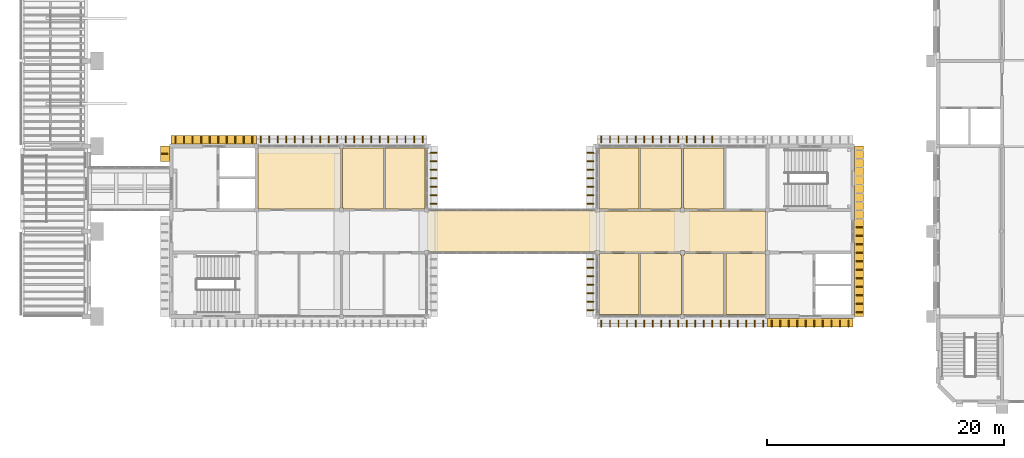
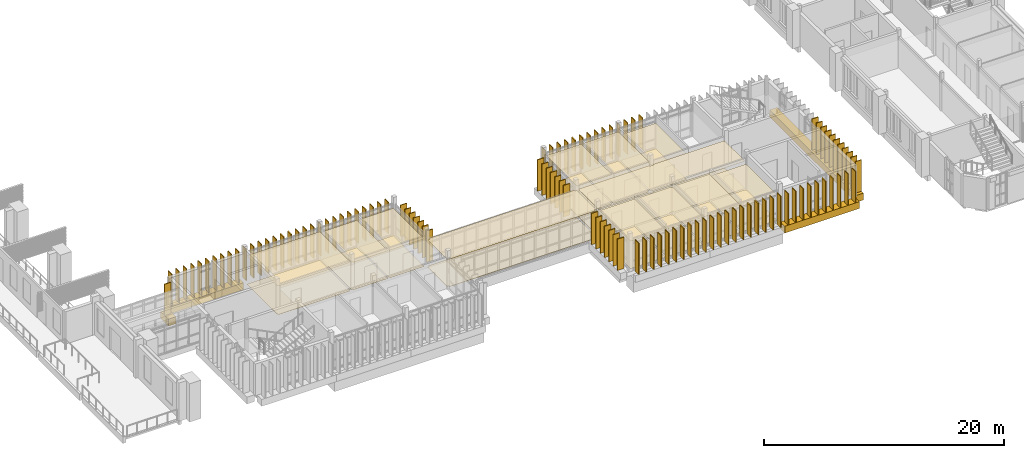
# One storey, part 63 of 69: 135 coverings.
"""IFC4 building model written with IfcOpenShell, lengths in metres."""

from ifc_helpers import new_model, si_unit, direction, frame, origin, origin_2d, place, context, subcontext, project, spatial, polyline, rectangle, outline, extrude, material, layer, layer_set, type_object, element, save


model = new_model("IFC4")

# Units and contexts
model_context = context("Model", 3, precision=1e-05, world=origin(), true_north=direction((0.0, 1.0)))
body_context = subcontext(model_context, "Body", "Model", "MODEL_VIEW")
ifc_project = project(units=[si_unit("LENGTHUNIT", "METRE"), si_unit("AREAUNIT", "SQUARE_METRE"), si_unit("VOLUMEUNIT", "CUBIC_METRE"), si_unit("PLANEANGLEUNIT", "RADIAN"), si_unit("MASSUNIT", "GRAM", prefix="KILO")], contexts=[model_context])

# Site, building, storey
site_placement = place(None, origin())
site = spatial("IfcSite", under=ifc_project, at=site_placement, CompositionType="ELEMENT")
building_placement = place(site_placement, origin())
building = spatial("IfcBuilding", under=site, at=building_placement, Name="Mazhai Court Health Centre", CompositionType="ELEMENT")
storey_placement = place(building_placement, frame((0.0, 0.0, 6.300048828125)))
storey = spatial("IfcBuildingStorey", under=building, at=storey_placement, Name="L01", CompositionType="ELEMENT", Elevation=6.300048828125)

# Coverings
ifc_material_1 = material(Name="Gypsum plasterboard ceiling")
ifc_layer_1 = layer(ifc_material_1, 0.02001953125)
ifc_layer_set_1 = layer_set([ifc_layer_1], Name="CEILING GYPSUM BOARD 20")
covering_type_1 = type_object("IfcCoveringType", Name="CEILING GYPSUM BOARD 20", PredefinedType="CEILING", material=ifc_layer_set_1)
covering_1_placement = place(storey_placement, frame((0.0, 0.0, 2.800048828125)))
element("IfcCovering", 1, at=covering_1_placement, inside=storey, type_object=covering_type_1, Name="ceil-V4-L01-A1-gp-consulting-room-5", PredefinedType="CEILING", context=body_context, shape_type="SweptSolid", body=[
    extrude(outline(polyline([(107.179931640625, 18.72509765625), (107.179931640625, 18.6201171875), (107.1650390625, 18.6201171875), (107.1650390625, 13.580078125), (107.179931640625, 13.580078125), (107.179931640625, 13.56494140625), (110.53759765625, 13.56494140625), (110.53759765625, 18.72509765625), (107.179931640625, 18.72509765625)])), origin(), (0.0, 0.0, 1.0), 0.02001953125),
])
covering_2_placement = place(storey_placement, frame((0.0, 0.0, 2.800048828125)))
element("IfcCovering", 2, at=covering_2_placement, inside=storey, type_object=covering_type_1, Name="ceil-V4-L01-A1-gp-consulting-room-6", PredefinedType="CEILING", context=body_context, shape_type="SweptSolid", body=[
    extrude(outline(polyline([(114.137451171875, 18.6201171875), (114.02001953125, 18.6201171875), (114.02001953125, 18.72509765625), (110.66259765625, 18.72509765625), (110.66259765625, 13.56494140625), (114.02001953125, 13.56494140625), (114.02001953125, 13.580078125), (114.137451171875, 13.580078125), (114.137451171875, 18.6201171875)])), origin(), (0.0, 0.0, 1.0), 0.02001953125),
])
covering_3_placement = place(storey_placement, frame((0.0, 0.0, 2.800048828125)))
element("IfcCovering", 3, at=covering_3_placement, inside=storey, type_object=covering_type_1, Name="ceil-V4-L01-A1-treatment-room-1", PredefinedType="CEILING", context=body_context, shape_type="SweptSolid", body=[
    extrude(outline(polyline([(114.3798828125, 18.72509765625), (114.3798828125, 18.6201171875), (114.262451171875, 18.6201171875), (114.262451171875, 13.580078125), (114.3798828125, 13.580078125), (114.3798828125, 13.56494140625), (117.72509765625, 13.56494140625), (117.72509765625, 18.72509765625), (114.3798828125, 18.72509765625)])), origin(), (0.0, 0.0, 1.0), 0.02001953125),
])
covering_4_placement = place(storey_placement, frame((0.0, 0.0, 2.89990234375)))
element("IfcCovering", 4, at=covering_4_placement, inside=storey, type_object=covering_type_1, Name="ceil-V4-L01-B0-nurse-base-and-triage", PredefinedType="CEILING", context=body_context, shape_type="SweptSolid", body=[
    extrude(outline(polyline([(85.33740234375, 27.6201171875), (85.219970703125, 27.6201171875), (85.219970703125, 27.635009765625), (78.3798828125, 27.635009765625), (78.3798828125, 27.6201171875), (78.324951171875, 27.6201171875), (78.324951171875, 22.580078125), (78.3798828125, 22.580078125), (78.3798828125, 22.47509765625), (85.219970703125, 22.47509765625), (85.219970703125, 22.580078125), (85.33740234375, 22.580078125), (85.33740234375, 27.6201171875)])), origin(), (0.0, 0.0, 1.0), 0.02001953125),
])
covering_5_placement = place(storey_placement, frame((0.0, 0.0, 2.800048828125)))
element("IfcCovering", 5, at=covering_5_placement, inside=storey, type_object=covering_type_1, Name="ceil-V4-L01-B0-treatment-room-2", PredefinedType="CEILING", context=body_context, shape_type="SweptSolid", body=[
    extrude(outline(polyline([(85.580078125, 27.635009765625), (85.580078125, 27.6201171875), (85.46240234375, 27.6201171875), (85.46240234375, 22.580078125), (85.580078125, 22.580078125), (85.580078125, 22.47509765625), (88.9375, 22.47509765625), (88.9375, 27.635009765625), (85.580078125, 27.635009765625)])), origin(), (0.0, 0.0, 1.0), 0.02001953125),
])
covering_6_placement = place(storey_placement, frame((0.0, 0.0, 2.800048828125)))
element("IfcCovering", 6, at=covering_6_placement, inside=storey, type_object=covering_type_1, Name="ceil-V4-L01-B0-wound-care-room", PredefinedType="CEILING", context=body_context, shape_type="SweptSolid", body=[
    extrude(outline(polyline([(92.43505859375, 27.6201171875), (92.419921875, 27.6201171875), (92.419921875, 27.635009765625), (89.0625, 27.635009765625), (89.0625, 22.47509765625), (92.419921875, 22.47509765625), (92.419921875, 22.580078125), (92.43505859375, 22.580078125), (92.43505859375, 27.6201171875)])), origin(), (0.0, 0.0, 1.0), 0.02001953125),
])
ifc_material_2 = material(Name="Mineral fibre ceiling tile")
ifc_layer_2 = layer(ifc_material_2, 0.014892578125)
ifc_layer_set_2 = layer_set([ifc_layer_2], Name="CEILING MINERAL FIBRE TILE 15")
covering_type_2 = type_object("IfcCoveringType", Name="CEILING MINERAL FIBRE TILE 15", PredefinedType="CEILING", material=ifc_layer_set_2)
covering_7_placement = place(storey_placement, frame((0.0, 0.0, 3.0)))
element("IfcCovering", 7, at=covering_7_placement, inside=storey, type_object=covering_type_2, Name="ceil-V4-L01-B1-waiting-alcove-1", PredefinedType="CEILING", context=body_context, shape_type="SweptSolid", body=[
    extrude(outline(polyline([(107.179931640625, 27.635009765625), (107.179931640625, 27.6201171875), (107.1650390625, 27.6201171875), (107.1650390625, 22.580078125), (107.179931640625, 22.580078125), (107.179931640625, 22.47509765625), (110.53759765625, 22.47509765625), (110.53759765625, 27.635009765625), (107.179931640625, 27.635009765625)])), origin(), (0.0, 0.0, 1.0), 0.014892578125),
])
covering_8_placement = place(storey_placement, frame((0.0, 0.0, 3.0)))
element("IfcCovering", 8, at=covering_8_placement, inside=storey, type_object=covering_type_2, Name="ceil-V4-L01-B1-waiting-alcove-2", PredefinedType="CEILING", context=body_context, shape_type="SweptSolid", body=[
    extrude(outline(polyline([(114.125, 27.6201171875), (114.02001953125, 27.6201171875), (114.02001953125, 27.635009765625), (110.66259765625, 27.635009765625), (110.66259765625, 22.47509765625), (114.02001953125, 22.47509765625), (114.02001953125, 22.580078125), (114.125, 22.580078125), (114.125, 27.6201171875)])), origin(), (0.0, 0.0, 1.0), 0.014892578125),
])
covering_9_placement = place(storey_placement, frame((0.0, 0.0, 2.800048828125)))
element("IfcCovering", 9, at=covering_9_placement, inside=storey, type_object=covering_type_2, Name="ceil-V4-L01-corridor-1", PredefinedType="CEILING", context=body_context, shape_type="SweptSolid", body=[
    extrude(outline(polyline([(121.27490234375, 22.219970703125), (121.219970703125, 22.219970703125), (121.219970703125, 22.324951171875), (114.3798828125, 22.324951171875), (114.3798828125, 22.219970703125), (114.02001953125, 22.219970703125), (114.02001953125, 22.324951171875), (107.179931640625, 22.324951171875), (107.179931640625, 22.219970703125), (107.1650390625, 22.219970703125), (107.1650390625, 18.97998046875), (107.179931640625, 18.97998046875), (107.179931640625, 18.875), (114.02001953125, 18.875), (114.02001953125, 18.97998046875), (114.3798828125, 18.97998046875), (114.3798828125, 18.875), (121.219970703125, 18.875), (121.219970703125, 18.97998046875), (121.27490234375, 18.97998046875), (121.27490234375, 22.219970703125)])), origin(), (0.0, 0.0, 1.0), 0.014892578125),
])
covering_10_placement = place(storey_placement, frame((0.0, 0.0, 2.800048828125)))
element("IfcCovering", 10, at=covering_10_placement, inside=storey, type_object=covering_type_2, Name="ceil-BR-LC1", PredefinedType="CEILING", context=body_context, shape_type="SweptSolid", body=[
    extrude(outline(polyline([(107.0, 18.97998046875), (106.820068359375, 18.97998046875), (106.820068359375, 18.85009765625), (92.780029296875, 18.85009765625), (92.780029296875, 18.97998046875), (92.60009765625, 18.97998046875), (92.60009765625, 22.219970703125), (92.780029296875, 22.219970703125), (92.780029296875, 22.35009765625), (106.820068359375, 22.35009765625), (106.820068359375, 22.219970703125), (107.0, 22.219970703125), (107.0, 18.97998046875)])), origin(), (0.0, 0.0, 1.0), 0.014892578125),
])
ifc_material_3 = material(Name="Moisture resistant gypsum ceiling")
ifc_layer_3 = layer(ifc_material_3, 0.014892578125)
ifc_layer_set_3 = layer_set([ifc_layer_3], Name="CEILING MOISTURE RESISTANT BOARD 15")
covering_type_3 = type_object("IfcCoveringType", Name="CEILING MOISTURE RESISTANT BOARD 15", PredefinedType="CEILING", material=ifc_layer_set_3)
covering_11_placement = place(storey_placement, frame((0.0, 0.0, 2.599853515625)))
element("IfcCovering", 11, at=covering_11_placement, inside=storey, type_object=covering_type_3, Name="ceil-V4-L01-A1-accessible-wc", PredefinedType="CEILING", context=body_context, shape_type="SweptSolid", body=[
    extrude(outline(polyline([(121.27490234375, 18.6201171875), (121.219970703125, 18.6201171875), (121.219970703125, 18.72509765625), (117.875, 18.72509765625), (117.875, 13.56494140625), (121.219970703125, 13.56494140625), (121.219970703125, 13.580078125), (121.27490234375, 13.580078125), (121.27490234375, 18.6201171875)])), origin(), (0.0, 0.0, 1.0), 0.01513671875),
])
covering_12_placement = place(storey_placement, frame((0.0, 0.0, 2.599853515625)))
element("IfcCovering", 12, at=covering_12_placement, inside=storey, type_object=covering_type_3, Name="ceil-V4-L01-B1-wc-male", PredefinedType="CEILING", context=body_context, shape_type="SweptSolid", body=[
    extrude(outline(polyline([(114.3798828125, 27.635009765625), (114.3798828125, 27.6201171875), (114.27490234375, 27.6201171875), (114.27490234375, 22.580078125), (114.3798828125, 22.580078125), (114.3798828125, 22.47509765625), (117.72509765625, 22.47509765625), (117.72509765625, 27.635009765625), (114.3798828125, 27.635009765625)])), origin(), (0.0, 0.0, 1.0), 0.01513671875),
])
ifc_material_4 = material(Name="Glulam GL24h", Category="wood")
covering_type_4 = type_object("IfcCoveringType", Name="FIN RAIL CLADDING 735x700", PredefinedType="CLADDING", material=ifc_material_4)
for number, where, z_axis, x_axis, name in (
    (13, (125.0, 12.866943359375, -0.7001953125), (0.0, 0.0, 1.0), (1.0, 0.0, 0.0), "FR-V4-A5-L01"),
    (14, (74.60009765625, 28.33203125, -0.7001953125), (0.0, 0.0, 1.0), (1.0, 0.0, 0.0), "FR-V4-B0-L01"),
):
    element("IfcCovering", number, at=place(storey_placement, frame(where, z_axis=z_axis, x_axis=x_axis)), inside=storey, type_object=covering_type_4, Name=name, PredefinedType="CLADDING", context=body_context, shape_type="SweptSolid", body=[
        extrude(rectangle(XDim=7.199951171875, YDim=0.735107421875, at=origin_2d()), origin(), (0.0, 0.0, 1.0), 0.699951171875),
    ])
covering_13_placement = place(storey_placement, frame((70.468017578125, 27.14990234375, -0.7001953125), z_axis=(0.0, 0.0, 1.0), x_axis=(1.0, 0.0, 0.0)))
element("IfcCovering", 15, at=covering_13_placement, inside=storey, type_object=covering_type_4, Name="FR-V4-S1-L01", PredefinedType="CLADDING", context=body_context, shape_type="SweptSolid", body=[
    extrude(rectangle(XDim=0.735107421875, YDim=1.300048828125, at=origin_2d()), origin(), (0.0, 0.0, 1.0), 0.699951171875),
])
covering_14_placement = place(storey_placement, frame((129.132080078125, 20.60009765625, -0.7001953125), z_axis=(0.0, 0.0, 1.0), x_axis=(1.0, 0.0, 0.0)))
element("IfcCovering", 16, at=covering_14_placement, inside=storey, type_object=covering_type_4, Name="FR-V4-E-L01", PredefinedType="CLADDING", context=body_context, shape_type="SweptSolid", body=[
    extrude(rectangle(XDim=0.735107421875, YDim=14.39990234375, at=origin_2d()), origin(), (0.0, 0.0, 1.0), 0.699951171875),
])
ifc_material_5 = material(Name="Teak timber", Category="wood")
covering_type_5 = type_object("IfcCoveringType", Name="FIN TIMBER 80x600", PredefinedType="CLADDING", material=ifc_material_5)
for number, where, z_axis, x_axis, name in (
    (17, (107.360107421875, 12.800048828125, 0.0), (0.0, 0.0, 1.0), (1.0, 0.0, 0.0), "FN-V4-A3-L01-00"),
    (18, (108.080078125, 12.800048828125, 0.0), (0.0, 0.0, 1.0), (1.0, 0.0, 0.0), "FN-V4-A3-L01-01"),
    (19, (108.800048828125, 12.800048828125, 0.0), (0.0, 0.0, 1.0), (1.0, 0.0, 0.0), "FN-V4-A3-L01-02"),
    (20, (109.52001953125, 12.800048828125, 0.0), (0.0, 0.0, 1.0), (1.0, 0.0, 0.0), "FN-V4-A3-L01-03"),
    (21, (110.239990234375, 12.800048828125, 0.0), (0.0, 0.0, 1.0), (1.0, 0.0, 0.0), "FN-V4-A3-L01-04"),
    (22, (110.9599609375, 12.800048828125, 0.0), (0.0, 0.0, 1.0), (1.0, 0.0, 0.0), "FN-V4-A3-L01-05"),
    (23, (111.679931640625, 12.800048828125, 0.0), (0.0, 0.0, 1.0), (1.0, 0.0, 0.0), "FN-V4-A3-L01-06"),
    (24, (112.39990234375, 12.800048828125, 0.0), (0.0, 0.0, 1.0), (1.0, 0.0, 0.0), "FN-V4-A3-L01-07"),
    (25, (113.1201171875, 12.800048828125, 0.0), (0.0, 0.0, 1.0), (1.0, 0.0, 0.0), "FN-V4-A3-L01-08"),
    (26, (113.840087890625, 12.800048828125, 0.0), (0.0, 0.0, 1.0), (1.0, 0.0, 0.0), "FN-V4-A3-L01-09"),
    (27, (114.56005859375, 12.800048828125, 0.0), (0.0, 0.0, 1.0), (1.0, 0.0, 0.0), "FN-V4-A4-L01-00"),
    (28, (115.280029296875, 12.800048828125, 0.0), (0.0, 0.0, 1.0), (1.0, 0.0, 0.0), "FN-V4-A4-L01-01"),
    (29, (116.0, 12.800048828125, 0.0), (0.0, 0.0, 1.0), (1.0, 0.0, 0.0), "FN-V4-A4-L01-02"),
    (30, (116.719970703125, 12.800048828125, 0.0), (0.0, 0.0, 1.0), (1.0, 0.0, 0.0), "FN-V4-A4-L01-03"),
    (31, (117.43994140625, 12.800048828125, 0.0), (0.0, 0.0, 1.0), (1.0, 0.0, 0.0), "FN-V4-A4-L01-04"),
    (32, (118.159912109375, 12.800048828125, 0.0), (0.0, 0.0, 1.0), (1.0, 0.0, 0.0), "FN-V4-A4-L01-05"),
    (33, (118.8798828125, 12.800048828125, 0.0), (0.0, 0.0, 1.0), (1.0, 0.0, 0.0), "FN-V4-A4-L01-06"),
    (34, (119.60009765625, 12.800048828125, 0.0), (0.0, 0.0, 1.0), (1.0, 0.0, 0.0), "FN-V4-A4-L01-07"),
    (35, (120.320068359375, 12.800048828125, 0.0), (0.0, 0.0, 1.0), (1.0, 0.0, 0.0), "FN-V4-A4-L01-08"),
    (36, (121.0400390625, 12.800048828125, 0.0), (0.0, 0.0, 1.0), (1.0, 0.0, 0.0), "FN-V4-A4-L01-09"),
    (37, (121.760009765625, 12.800048828125, 0.0), (0.0, 0.0, 1.0), (1.0, 0.0, 0.0), "FN-V4-A5-L01-00"),
    (38, (122.47998046875, 12.800048828125, 0.0), (0.0, 0.0, 1.0), (1.0, 0.0, 0.0), "FN-V4-A5-L01-01"),
    (39, (123.199951171875, 12.800048828125, 0.0), (0.0, 0.0, 1.0), (1.0, 0.0, 0.0), "FN-V4-A5-L01-02"),
    (40, (123.919921875, 12.800048828125, 0.0), (0.0, 0.0, 1.0), (1.0, 0.0, 0.0), "FN-V4-A5-L01-03"),
    (41, (124.639892578125, 12.800048828125, 0.0), (0.0, 0.0, 1.0), (1.0, 0.0, 0.0), "FN-V4-A5-L01-04"),
    (42, (125.360107421875, 12.800048828125, 0.0), (0.0, 0.0, 1.0), (1.0, 0.0, 0.0), "FN-V4-A5-L01-05"),
    (43, (126.080078125, 12.800048828125, 0.0), (0.0, 0.0, 1.0), (1.0, 0.0, 0.0), "FN-V4-A5-L01-06"),
    (44, (126.800048828125, 12.800048828125, 0.0), (0.0, 0.0, 1.0), (1.0, 0.0, 0.0), "FN-V4-A5-L01-07"),
    (45, (127.52001953125, 12.800048828125, 0.0), (0.0, 0.0, 1.0), (1.0, 0.0, 0.0), "FN-V4-A5-L01-08"),
    (46, (128.239990234375, 12.800048828125, 0.0), (0.0, 0.0, 1.0), (1.0, 0.0, 0.0), "FN-V4-A5-L01-09"),
    (47, (71.360107421875, 28.39990234375, 0.0), (0.0, 0.0, 1.0), (1.0, 0.0, 0.0), "FN-V4-B0-L01-00"),
    (48, (72.080078125, 28.39990234375, 0.0), (0.0, 0.0, 1.0), (1.0, 0.0, 0.0), "FN-V4-B0-L01-01"),
    (49, (72.800048828125, 28.39990234375, 0.0), (0.0, 0.0, 1.0), (1.0, 0.0, 0.0), "FN-V4-B0-L01-02"),
    (50, (73.52001953125, 28.39990234375, 0.0), (0.0, 0.0, 1.0), (1.0, 0.0, 0.0), "FN-V4-B0-L01-03"),
    (51, (74.239990234375, 28.39990234375, 0.0), (0.0, 0.0, 1.0), (1.0, 0.0, 0.0), "FN-V4-B0-L01-04"),
    (52, (74.9599609375, 28.39990234375, 0.0), (0.0, 0.0, 1.0), (1.0, 0.0, 0.0), "FN-V4-B0-L01-05"),
    (53, (75.679931640625, 28.39990234375, 0.0), (0.0, 0.0, 1.0), (1.0, 0.0, 0.0), "FN-V4-B0-L01-06"),
    (54, (76.39990234375, 28.39990234375, 0.0), (0.0, 0.0, 1.0), (1.0, 0.0, 0.0), "FN-V4-B0-L01-07"),
    (55, (77.1201171875, 28.39990234375, 0.0), (0.0, 0.0, 1.0), (1.0, 0.0, 0.0), "FN-V4-B0-L01-08"),
    (56, (77.840087890625, 28.39990234375, 0.0), (0.0, 0.0, 1.0), (1.0, 0.0, 0.0), "FN-V4-B0-L01-09"),
    (57, (78.56005859375, 28.39990234375, 0.0), (0.0, 0.0, 1.0), (1.0, 0.0, 0.0), "FN-V4-B1-L01-00"),
    (58, (79.280029296875, 28.39990234375, 0.0), (0.0, 0.0, 1.0), (1.0, 0.0, 0.0), "FN-V4-B1-L01-01"),
    (59, (80.0, 28.39990234375, 0.0), (0.0, 0.0, 1.0), (1.0, 0.0, 0.0), "FN-V4-B1-L01-02"),
    (60, (80.719970703125, 28.39990234375, 0.0), (0.0, 0.0, 1.0), (1.0, 0.0, 0.0), "FN-V4-B1-L01-03"),
    (61, (81.43994140625, 28.39990234375, 0.0), (0.0, 0.0, 1.0), (1.0, 0.0, 0.0), "FN-V4-B1-L01-04"),
    (62, (82.159912109375, 28.39990234375, 0.0), (0.0, 0.0, 1.0), (1.0, 0.0, 0.0), "FN-V4-B1-L01-05"),
    (63, (82.8798828125, 28.39990234375, 0.0), (0.0, 0.0, 1.0), (1.0, 0.0, 0.0), "FN-V4-B1-L01-06"),
    (64, (83.60009765625, 28.39990234375, 0.0), (0.0, 0.0, 1.0), (1.0, 0.0, 0.0), "FN-V4-B1-L01-07"),
    (65, (84.320068359375, 28.39990234375, 0.0), (0.0, 0.0, 1.0), (1.0, 0.0, 0.0), "FN-V4-B1-L01-08"),
    (66, (85.0400390625, 28.39990234375, 0.0), (0.0, 0.0, 1.0), (1.0, 0.0, 0.0), "FN-V4-B1-L01-09"),
    (67, (85.760009765625, 28.39990234375, 0.0), (0.0, 0.0, 1.0), (1.0, 0.0, 0.0), "FN-V4-B2-L01-00"),
    (68, (86.47998046875, 28.39990234375, 0.0), (0.0, 0.0, 1.0), (1.0, 0.0, 0.0), "FN-V4-B2-L01-01"),
    (69, (87.199951171875, 28.39990234375, 0.0), (0.0, 0.0, 1.0), (1.0, 0.0, 0.0), "FN-V4-B2-L01-02"),
    (70, (87.919921875, 28.39990234375, 0.0), (0.0, 0.0, 1.0), (1.0, 0.0, 0.0), "FN-V4-B2-L01-03"),
    (71, (88.639892578125, 28.39990234375, 0.0), (0.0, 0.0, 1.0), (1.0, 0.0, 0.0), "FN-V4-B2-L01-04"),
    (72, (89.360107421875, 28.39990234375, 0.0), (0.0, 0.0, 1.0), (1.0, 0.0, 0.0), "FN-V4-B2-L01-05"),
    (73, (90.080078125, 28.39990234375, 0.0), (0.0, 0.0, 1.0), (1.0, 0.0, 0.0), "FN-V4-B2-L01-06"),
    (74, (90.800048828125, 28.39990234375, 0.0), (0.0, 0.0, 1.0), (1.0, 0.0, 0.0), "FN-V4-B2-L01-07"),
    (75, (91.52001953125, 28.39990234375, 0.0), (0.0, 0.0, 1.0), (1.0, 0.0, 0.0), "FN-V4-B2-L01-08"),
    (76, (92.239990234375, 28.39990234375, 0.0), (0.0, 0.0, 1.0), (1.0, 0.0, 0.0), "FN-V4-B2-L01-09"),
    (77, (107.360107421875, 28.39990234375, 0.0), (0.0, 0.0, 1.0), (1.0, 0.0, 0.0), "FN-V4-B3-L01-00"),
    (78, (108.080078125, 28.39990234375, 0.0), (0.0, 0.0, 1.0), (1.0, 0.0, 0.0), "FN-V4-B3-L01-01"),
    (79, (108.800048828125, 28.39990234375, 0.0), (0.0, 0.0, 1.0), (1.0, 0.0, 0.0), "FN-V4-B3-L01-02"),
    (80, (109.52001953125, 28.39990234375, 0.0), (0.0, 0.0, 1.0), (1.0, 0.0, 0.0), "FN-V4-B3-L01-03"),
    (81, (110.239990234375, 28.39990234375, 0.0), (0.0, 0.0, 1.0), (1.0, 0.0, 0.0), "FN-V4-B3-L01-04"),
    (82, (110.9599609375, 28.39990234375, 0.0), (0.0, 0.0, 1.0), (1.0, 0.0, 0.0), "FN-V4-B3-L01-05"),
    (83, (111.679931640625, 28.39990234375, 0.0), (0.0, 0.0, 1.0), (1.0, 0.0, 0.0), "FN-V4-B3-L01-06"),
    (84, (112.39990234375, 28.39990234375, 0.0), (0.0, 0.0, 1.0), (1.0, 0.0, 0.0), "FN-V4-B3-L01-07"),
    (85, (113.1201171875, 28.39990234375, 0.0), (0.0, 0.0, 1.0), (1.0, 0.0, 0.0), "FN-V4-B3-L01-08"),
    (86, (113.840087890625, 28.39990234375, 0.0), (0.0, 0.0, 1.0), (1.0, 0.0, 0.0), "FN-V4-B3-L01-09"),
    (87, (114.56005859375, 28.39990234375, 0.0), (0.0, 0.0, 1.0), (1.0, 0.0, 0.0), "FN-V4-B4-L01-00"),
    (88, (115.280029296875, 28.39990234375, 0.0), (0.0, 0.0, 1.0), (1.0, 0.0, 0.0), "FN-V4-B4-L01-01"),
    (89, (116.0, 28.39990234375, 0.0), (0.0, 0.0, 1.0), (1.0, 0.0, 0.0), "FN-V4-B4-L01-02"),
    (90, (116.719970703125, 28.39990234375, 0.0), (0.0, 0.0, 1.0), (1.0, 0.0, 0.0), "FN-V4-B4-L01-03"),
    (91, (70.39990234375, 27.14990234375, 0.0), (0.0, 0.0, 1.0), (0.0, 1.0, 0.0), "FN-V4-S1-L01-00"),
    (92, (129.199951171875, 13.760009765625, 0.0), (0.0, 0.0, 1.0), (0.0, 1.0, 0.0), "FN-V4-E-L01-00"),
    (93, (129.199951171875, 14.47998046875, 0.0), (0.0, 0.0, 1.0), (0.0, 1.0, 0.0), "FN-V4-E-L01-01"),
    (94, (129.199951171875, 15.199951171875, 0.0), (0.0, 0.0, 1.0), (0.0, 1.0, 0.0), "FN-V4-E-L01-02"),
    (95, (129.199951171875, 15.919921875, 0.0), (0.0, 0.0, 1.0), (0.0, 1.0, 0.0), "FN-V4-E-L01-03"),
    (96, (129.199951171875, 16.639892578125, 0.0), (0.0, 0.0, 1.0), (0.0, 1.0, 0.0), "FN-V4-E-L01-04"),
    (97, (129.199951171875, 17.360107421875, 0.0), (0.0, 0.0, 1.0), (0.0, 1.0, 0.0), "FN-V4-E-L01-05"),
    (98, (129.199951171875, 18.080078125, 0.0), (0.0, 0.0, 1.0), (0.0, 1.0, 0.0), "FN-V4-E-L01-06"),
    (99, (129.199951171875, 18.800048828125, 0.0), (0.0, 0.0, 1.0), (0.0, 1.0, 0.0), "FN-V4-E-L01-07"),
    (100, (129.199951171875, 19.52001953125, 0.0), (0.0, 0.0, 1.0), (0.0, 1.0, 0.0), "FN-V4-E-L01-08"),
    (101, (129.199951171875, 20.239990234375, 0.0), (0.0, 0.0, 1.0), (0.0, 1.0, 0.0), "FN-V4-E-L01-09"),
    (102, (129.199951171875, 20.9599609375, 0.0), (0.0, 0.0, 1.0), (0.0, 1.0, 0.0), "FN-V4-E-L01-10"),
    (103, (93.199951171875, 22.93994140625, 0.0), (0.0, 0.0, 1.0), (0.0, 1.0, 0.0), "FN-V4-CE2-1-L01-00"),
    (104, (93.199951171875, 23.659912109375, 0.0), (0.0, 0.0, 1.0), (0.0, 1.0, 0.0), "FN-V4-CE2-1-L01-01"),
    (105, (93.199951171875, 24.3798828125, 0.0), (0.0, 0.0, 1.0), (0.0, 1.0, 0.0), "FN-V4-CE2-1-L01-02"),
    (106, (93.199951171875, 25.10009765625, 0.0), (0.0, 0.0, 1.0), (0.0, 1.0, 0.0), "FN-V4-CE2-1-L01-03"),
    (107, (93.199951171875, 25.820068359375, 0.0), (0.0, 0.0, 1.0), (0.0, 1.0, 0.0), "FN-V4-CE2-1-L01-04"),
    (108, (93.199951171875, 26.5400390625, 0.0), (0.0, 0.0, 1.0), (0.0, 1.0, 0.0), "FN-V4-CE2-1-L01-05"),
    (109, (93.199951171875, 27.260009765625, 0.0), (0.0, 0.0, 1.0), (0.0, 1.0, 0.0), "FN-V4-CE2-1-L01-06"),
    (110, (106.39990234375, 13.93994140625, 0.0), (0.0, 0.0, 1.0), (0.0, 1.0, 0.0), "FN-V4-CW5-0-L01-00"),
    (111, (106.39990234375, 14.659912109375, 0.0), (0.0, 0.0, 1.0), (0.0, 1.0, 0.0), "FN-V4-CW5-0-L01-01"),
    (112, (106.39990234375, 15.3798828125, 0.0), (0.0, 0.0, 1.0), (0.0, 1.0, 0.0), "FN-V4-CW5-0-L01-02"),
    (113, (106.39990234375, 16.10009765625, 0.0), (0.0, 0.0, 1.0), (0.0, 1.0, 0.0), "FN-V4-CW5-0-L01-03"),
    (114, (106.39990234375, 16.820068359375, 0.0), (0.0, 0.0, 1.0), (0.0, 1.0, 0.0), "FN-V4-CW5-0-L01-04"),
    (115, (106.39990234375, 17.5400390625, 0.0), (0.0, 0.0, 1.0), (0.0, 1.0, 0.0), "FN-V4-CW5-0-L01-05"),
    (116, (106.39990234375, 18.260009765625, 0.0), (0.0, 0.0, 1.0), (0.0, 1.0, 0.0), "FN-V4-CW5-0-L01-06"),
    (117, (106.39990234375, 22.93994140625, 0.0), (0.0, 0.0, 1.0), (0.0, 1.0, 0.0), "FN-V4-CW5-1-L01-00"),
    (118, (106.39990234375, 23.659912109375, 0.0), (0.0, 0.0, 1.0), (0.0, 1.0, 0.0), "FN-V4-CW5-1-L01-01"),
    (119, (106.39990234375, 24.3798828125, 0.0), (0.0, 0.0, 1.0), (0.0, 1.0, 0.0), "FN-V4-CW5-1-L01-02"),
    (120, (106.39990234375, 25.10009765625, 0.0), (0.0, 0.0, 1.0), (0.0, 1.0, 0.0), "FN-V4-CW5-1-L01-03"),
    (121, (106.39990234375, 25.820068359375, 0.0), (0.0, 0.0, 1.0), (0.0, 1.0, 0.0), "FN-V4-CW5-1-L01-04"),
    (122, (106.39990234375, 26.5400390625, 0.0), (0.0, 0.0, 1.0), (0.0, 1.0, 0.0), "FN-V4-CW5-1-L01-05"),
    (123, (106.39990234375, 27.260009765625, 0.0), (0.0, 0.0, 1.0), (0.0, 1.0, 0.0), "FN-V4-CW5-1-L01-06"),
):
    element("IfcCovering", number, at=place(storey_placement, frame(where, z_axis=z_axis, x_axis=x_axis)), inside=storey, type_object=covering_type_5, Name=name, PredefinedType="CLADDING", context=body_context, shape_type="SweptSolid", body=[
        extrude(rectangle(XDim=0.080078125, YDim=0.60009765625, at=origin_2d()), origin(), (0.0, 0.0, 1.0), 3.199951171875),
    ])
ifc_material_6 = material(Name="Heavy duty vinyl flooring")
ifc_layer_4 = layer(ifc_material_6, 0.02001953125)
ifc_layer_set_4 = layer_set([ifc_layer_4], Name="FLOOR FINISH HEAVY DUTY VINYL FLOORING 20")
covering_type_6 = type_object("IfcCoveringType", Name="FLOOR FINISH HEAVY DUTY VINYL FLOORING 20", PredefinedType="FLOORING", material=ifc_layer_set_4)
covering_15_placement = place(storey_placement, origin())
element("IfcCovering", 124, at=covering_15_placement, inside=storey, type_object=covering_type_6, Name="floor-V4-L01-A1-gp-consulting-room-5", PredefinedType="FLOORING", context=body_context, shape_type="SweptSolid", body=[
    extrude(outline(polyline([(107.179931640625, 18.72509765625), (107.179931640625, 18.6201171875), (107.1650390625, 18.6201171875), (107.1650390625, 13.580078125), (107.179931640625, 13.580078125), (107.179931640625, 13.56494140625), (110.53759765625, 13.56494140625), (110.53759765625, 18.72509765625), (107.179931640625, 18.72509765625)])), origin(), (0.0, 0.0, 1.0), 0.02001953125),
])
covering_16_placement = place(storey_placement, origin())
element("IfcCovering", 125, at=covering_16_placement, inside=storey, type_object=covering_type_6, Name="floor-V4-L01-A1-gp-consulting-room-6", PredefinedType="FLOORING", context=body_context, shape_type="SweptSolid", body=[
    extrude(outline(polyline([(114.137451171875, 18.6201171875), (114.02001953125, 18.6201171875), (114.02001953125, 18.72509765625), (110.66259765625, 18.72509765625), (110.66259765625, 13.56494140625), (114.02001953125, 13.56494140625), (114.02001953125, 13.580078125), (114.137451171875, 13.580078125), (114.137451171875, 18.6201171875)])), origin(), (0.0, 0.0, 1.0), 0.02001953125),
])
covering_17_placement = place(storey_placement, origin())
element("IfcCovering", 126, at=covering_17_placement, inside=storey, type_object=covering_type_6, Name="floor-V4-L01-A1-treatment-room-1", PredefinedType="FLOORING", context=body_context, shape_type="SweptSolid", body=[
    extrude(outline(polyline([(114.3798828125, 18.72509765625), (114.3798828125, 18.6201171875), (114.262451171875, 18.6201171875), (114.262451171875, 13.580078125), (114.3798828125, 13.580078125), (114.3798828125, 13.56494140625), (117.72509765625, 13.56494140625), (117.72509765625, 18.72509765625), (114.3798828125, 18.72509765625)])), origin(), (0.0, 0.0, 1.0), 0.02001953125),
])
covering_18_placement = place(storey_placement, origin())
element("IfcCovering", 127, at=covering_18_placement, inside=storey, type_object=covering_type_6, Name="floor-V4-L01-B0-treatment-room-2", PredefinedType="FLOORING", context=body_context, shape_type="SweptSolid", body=[
    extrude(outline(polyline([(85.580078125, 27.635009765625), (85.580078125, 27.6201171875), (85.46240234375, 27.6201171875), (85.46240234375, 22.580078125), (85.580078125, 22.580078125), (85.580078125, 22.47509765625), (88.9375, 22.47509765625), (88.9375, 27.635009765625), (85.580078125, 27.635009765625)])), origin(), (0.0, 0.0, 1.0), 0.02001953125),
])
covering_19_placement = place(storey_placement, origin())
element("IfcCovering", 128, at=covering_19_placement, inside=storey, type_object=covering_type_6, Name="floor-V4-L01-B0-wound-care-room", PredefinedType="FLOORING", context=body_context, shape_type="SweptSolid", body=[
    extrude(outline(polyline([(92.43505859375, 27.6201171875), (92.419921875, 27.6201171875), (92.419921875, 27.635009765625), (89.0625, 27.635009765625), (89.0625, 22.47509765625), (92.419921875, 22.47509765625), (92.419921875, 22.580078125), (92.43505859375, 22.580078125), (92.43505859375, 27.6201171875)])), origin(), (0.0, 0.0, 1.0), 0.02001953125),
])
ifc_material_7 = material(Name="Linoleum flooring")
ifc_layer_5 = layer(ifc_material_7, 0.02001953125)
ifc_layer_set_5 = layer_set([ifc_layer_5], Name="FLOOR FINISH LINOLEUM FLOORING 20")
covering_type_7 = type_object("IfcCoveringType", Name="FLOOR FINISH LINOLEUM FLOORING 20", PredefinedType="FLOORING", material=ifc_layer_set_5)
covering_20_placement = place(storey_placement, origin())
element("IfcCovering", 129, at=covering_20_placement, inside=storey, type_object=covering_type_7, Name="floor-V4-L01-B0-nurse-base-and-triage", PredefinedType="FLOORING", context=body_context, shape_type="SweptSolid", body=[
    extrude(outline(polyline([(85.33740234375, 27.6201171875), (85.219970703125, 27.6201171875), (85.219970703125, 27.635009765625), (78.3798828125, 27.635009765625), (78.3798828125, 27.6201171875), (78.324951171875, 27.6201171875), (78.324951171875, 22.580078125), (78.3798828125, 22.580078125), (78.3798828125, 22.47509765625), (85.219970703125, 22.47509765625), (85.219970703125, 22.580078125), (85.33740234375, 22.580078125), (85.33740234375, 27.6201171875)])), origin(), (0.0, 0.0, 1.0), 0.02001953125),
])
ifc_material_8 = material(Name="Porcelain tile flooring")
ifc_layer_6 = layer(ifc_material_8, 0.02490234375)
ifc_layer_set_6 = layer_set([ifc_layer_6], Name="FLOOR FINISH PORCELAIN TILE FLOORING 25")
covering_type_8 = type_object("IfcCoveringType", Name="FLOOR FINISH PORCELAIN TILE FLOORING 25", PredefinedType="FLOORING", material=ifc_layer_set_6)
covering_21_placement = place(storey_placement, origin())
element("IfcCovering", 130, at=covering_21_placement, inside=storey, type_object=covering_type_8, Name="floor-V4-L01-A1-accessible-wc", PredefinedType="FLOORING", context=body_context, shape_type="SweptSolid", body=[
    extrude(outline(polyline([(121.27490234375, 18.6201171875), (121.219970703125, 18.6201171875), (121.219970703125, 18.72509765625), (117.875, 18.72509765625), (117.875, 13.56494140625), (121.219970703125, 13.56494140625), (121.219970703125, 13.580078125), (121.27490234375, 13.580078125), (121.27490234375, 18.6201171875)])), origin(), (0.0, 0.0, 1.0), 0.02490234375),
])
covering_22_placement = place(storey_placement, origin())
element("IfcCovering", 131, at=covering_22_placement, inside=storey, type_object=covering_type_8, Name="floor-V4-L01-B1-wc-male", PredefinedType="FLOORING", context=body_context, shape_type="SweptSolid", body=[
    extrude(outline(polyline([(114.3798828125, 27.635009765625), (114.3798828125, 27.6201171875), (114.27490234375, 27.6201171875), (114.27490234375, 22.580078125), (114.3798828125, 22.580078125), (114.3798828125, 22.47509765625), (117.72509765625, 22.47509765625), (117.72509765625, 27.635009765625), (114.3798828125, 27.635009765625)])), origin(), (0.0, 0.0, 1.0), 0.02490234375),
])
ifc_material_9 = material(Name="Terrazzo flooring")
ifc_layer_7 = layer(ifc_material_9, 0.0400390625)
ifc_layer_set_7 = layer_set([ifc_layer_7], Name="FLOOR FINISH TERRAZZO FLOORING 40")
covering_type_9 = type_object("IfcCoveringType", Name="FLOOR FINISH TERRAZZO FLOORING 40", PredefinedType="FLOORING", material=ifc_layer_set_7)
covering_23_placement = place(storey_placement, origin())
element("IfcCovering", 132, at=covering_23_placement, inside=storey, type_object=covering_type_9, Name="floor-V4-L01-B1-waiting-alcove-1", PredefinedType="FLOORING", context=body_context, shape_type="SweptSolid", body=[
    extrude(outline(polyline([(107.179931640625, 27.635009765625), (107.179931640625, 27.6201171875), (107.1650390625, 27.6201171875), (107.1650390625, 22.580078125), (107.179931640625, 22.580078125), (107.179931640625, 22.47509765625), (110.53759765625, 22.47509765625), (110.53759765625, 27.635009765625), (107.179931640625, 27.635009765625)])), origin(), (0.0, 0.0, 1.0), 0.0400390625),
])
covering_24_placement = place(storey_placement, origin())
element("IfcCovering", 133, at=covering_24_placement, inside=storey, type_object=covering_type_9, Name="floor-V4-L01-B1-waiting-alcove-2", PredefinedType="FLOORING", context=body_context, shape_type="SweptSolid", body=[
    extrude(outline(polyline([(114.125, 27.6201171875), (114.02001953125, 27.6201171875), (114.02001953125, 27.635009765625), (110.66259765625, 27.635009765625), (110.66259765625, 22.47509765625), (114.02001953125, 22.47509765625), (114.02001953125, 22.580078125), (114.125, 22.580078125), (114.125, 27.6201171875)])), origin(), (0.0, 0.0, 1.0), 0.0400390625),
])
covering_25_placement = place(storey_placement, origin())
element("IfcCovering", 134, at=covering_25_placement, inside=storey, type_object=covering_type_9, Name="floor-V4-L01-corridor-1", PredefinedType="FLOORING", context=body_context, shape_type="SweptSolid", body=[
    extrude(outline(polyline([(121.27490234375, 22.219970703125), (121.219970703125, 22.219970703125), (121.219970703125, 22.324951171875), (114.3798828125, 22.324951171875), (114.3798828125, 22.219970703125), (114.02001953125, 22.219970703125), (114.02001953125, 22.324951171875), (107.179931640625, 22.324951171875), (107.179931640625, 22.219970703125), (107.1650390625, 22.219970703125), (107.1650390625, 18.97998046875), (107.179931640625, 18.97998046875), (107.179931640625, 18.875), (114.02001953125, 18.875), (114.02001953125, 18.97998046875), (114.3798828125, 18.97998046875), (114.3798828125, 18.875), (121.219970703125, 18.875), (121.219970703125, 18.97998046875), (121.27490234375, 18.97998046875), (121.27490234375, 22.219970703125)])), origin(), (0.0, 0.0, 1.0), 0.0400390625),
])
covering_26_placement = place(storey_placement, origin())
element("IfcCovering", 135, at=covering_26_placement, inside=storey, type_object=covering_type_9, Name="floor-BR-LC1", PredefinedType="FLOORING", context=body_context, shape_type="SweptSolid", body=[
    extrude(outline(polyline([(107.0, 18.97998046875), (106.820068359375, 18.97998046875), (106.820068359375, 18.85009765625), (92.780029296875, 18.85009765625), (92.780029296875, 18.97998046875), (92.60009765625, 18.97998046875), (92.60009765625, 22.219970703125), (92.780029296875, 22.219970703125), (92.780029296875, 22.35009765625), (106.820068359375, 22.35009765625), (106.820068359375, 22.219970703125), (107.0, 22.219970703125), (107.0, 18.97998046875)])), origin(), (0.0, 0.0, 1.0), 0.0400390625),
])

save(model, "model.ifc")
